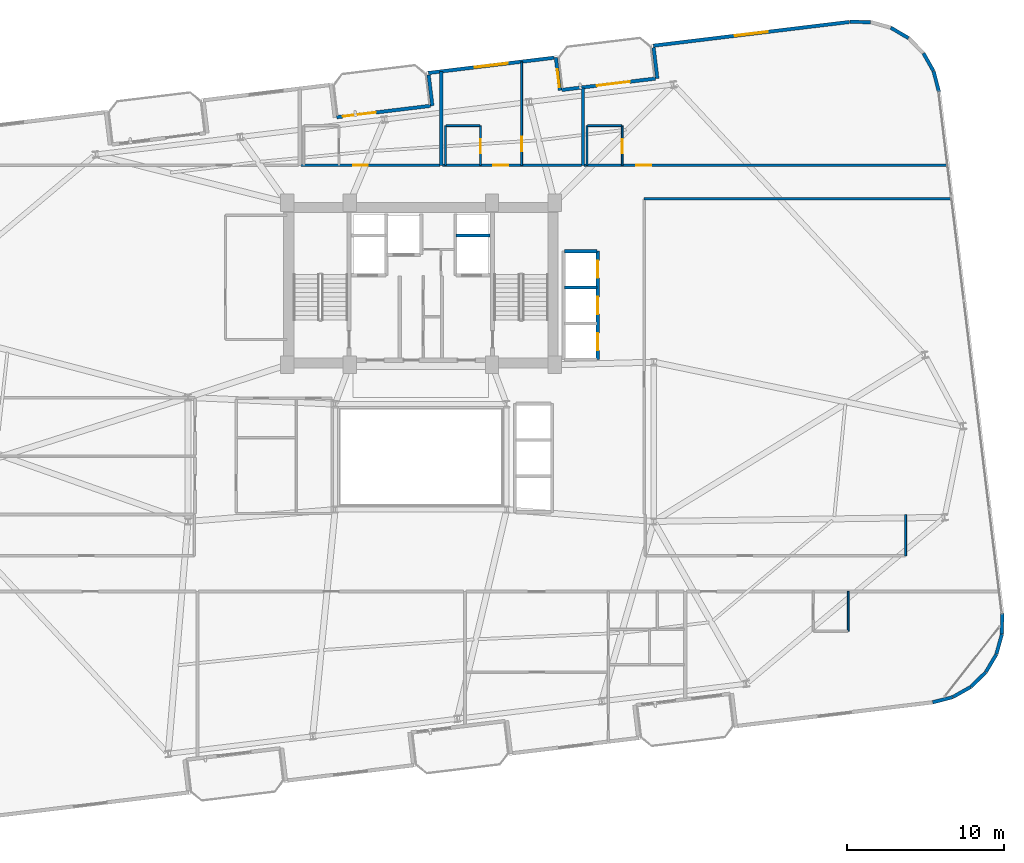
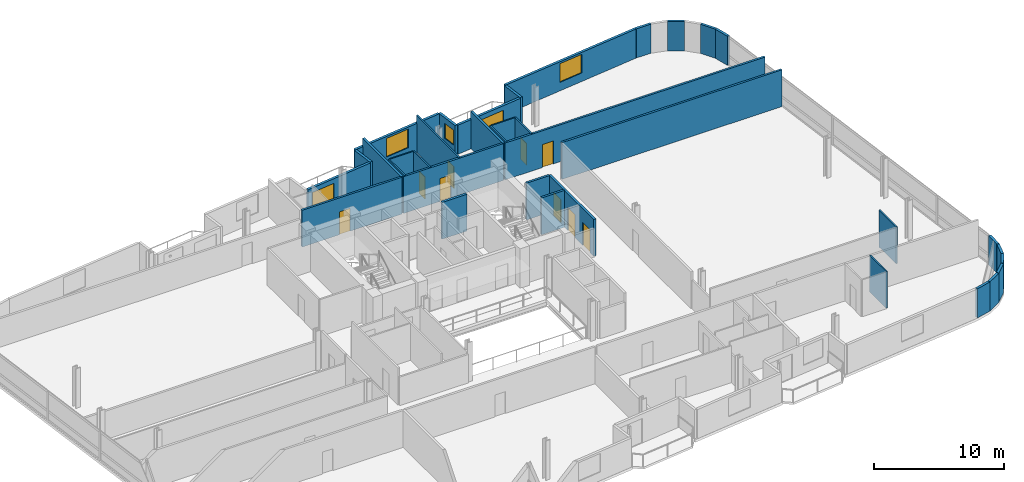
# One storey, part 18 of 23: 36 walls, 11 doors, 3 windows, 14 openings.
"""IFC4 building model written with IfcOpenShell, lengths in metres."""

from ifc_helpers import new_model, si_unit, direction, frame, frame_2d, origin, place, context, subcontext, project, spatial, rectangle, extrude, material, layer, layer_set, type_object, element, fill, save


model = new_model("IFC4")

# Units and contexts
model_context = context("Model", 3, precision=1e-05, world=origin(), true_north=direction((0.0, 1.0)))
body_context = subcontext(model_context, "Body", "Model", "MODEL_VIEW")
ifc_project = project(units=[si_unit("LENGTHUNIT", "METRE"), si_unit("AREAUNIT", "SQUARE_METRE"), si_unit("VOLUMEUNIT", "CUBIC_METRE"), si_unit("PLANEANGLEUNIT", "RADIAN"), si_unit("MASSUNIT", "GRAM", prefix="KILO")], contexts=[model_context])

# Site, building, storey
site_placement = place(None, origin())
site = spatial("IfcSite", under=ifc_project, at=site_placement, CompositionType="ELEMENT")
building_placement = place(site_placement, origin())
building = spatial("IfcBuilding", under=site, at=building_placement, Name="Varnelok Gate Tower", CompositionType="ELEMENT")
storey_placement = place(building_placement, frame((0.0, 0.0, 182.0)))
storey = spatial("IfcBuildingStorey", under=building, at=storey_placement, Name="L46", CompositionType="ELEMENT", Elevation=182.0)

# Wall, opening, door
ifc_material_1 = material(Name="Concrete C45/55", Category="concrete")
ifc_layer_1 = layer(ifc_material_1, 0.219970703125)
ifc_layer_set_1 = layer_set([ifc_layer_1], Name="Concrete C45/55")
wall_type_1 = type_object("IfcWallType", Name="EW-BALC-220", PredefinedType="SOLIDWALL", material=ifc_layer_set_1)
wall_1_placement = place(storey_placement, frame((33.852294921875, 44.48583984375, 0.0), z_axis=(0.0, 0.0, 1.0), x_axis=(0.992729951822, 0.120362962556, 0.0)))
wall_1 = element("IfcWall", 1, at=wall_1_placement, inside=storey, type_object=wall_type_1, Name="L46 North Terrace Envelope Wall 5", PredefinedType="SOLIDWALL", context=body_context, shape_type="SweptSolid", body=[
    extrude(rectangle(XDim=6.0, YDim=0.219970703125, at=frame_2d((3.0, 0.0))), origin(), (0.0, 0.0, 1.0), 2.72998046875),
])
opening_1_placement = place(wall_1_placement, frame((0.39990234375, 0.0, 0.0)))
opening_1 = element("IfcOpeningElement", 2, at=opening_1_placement, cuts=wall_1, Name="Opening BD-2", PredefinedType="OPENING", context=body_context, shape_type="SweptSolid", body=[
    extrude(rectangle(XDim=2.10009765625, YDim=2.300048828125, at=frame_2d((1.050048828125, 1.14990234375))), frame((0.0, 0.119873046875, 0.0), z_axis=(0.0, -1.0, 0.0), x_axis=(1.0, 0.0, 0.0)), (0.0, 0.0, 1.0), 0.239990234375),
])
ifc_material_2 = material(Name="Anodized Aluminum Alloy 6063-T6", Category="aluminium")
door_type_1 = type_object("IfcDoorType", Name="DR-EXT-SLID2100", OperationType="SLIDING_TO_LEFT", PredefinedType="DOOR", material=ifc_material_2)
door_1_placement = place(opening_1_placement, origin())
door_1 = element("IfcDoor", 3, at=door_1_placement, inside=storey, type_object=door_type_1, Name="L46 North Balcony Glazed Door 5", OperationType="SLIDING_TO_LEFT", OverallHeight=2.300048828125, OverallWidth=2.10009765625, PredefinedType="DOOR", context=body_context, shape_type="SweptSolid", body=[
    extrude(rectangle(XDim=2.10009765625, YDim=2.300048828125, at=frame_2d((1.050048828125, 1.14990234375))), frame((0.0, 0.02490234375, 0.0), z_axis=(0.0, -1.0, 0.0), x_axis=(1.0, 0.0, 0.0)), (0.0, 0.0, 1.0), 0.050048828125),
])
fill(opening_1, door_1)

wall_2_placement = place(storey_placement, frame((48.147705078125, 46.21875, 0.0), z_axis=(0.0, 0.0, 1.0), x_axis=(0.992729951822, 0.120362962556, 0.0)))
wall_2 = element("IfcWall", 4, at=wall_2_placement, inside=storey, type_object=wall_type_1, Name="L46 North Terrace Envelope Wall 6", PredefinedType="SOLIDWALL", context=body_context, shape_type="SweptSolid", body=[
    extrude(rectangle(XDim=6.0, YDim=0.219970703125, at=frame_2d((3.0, 0.0))), origin(), (0.0, 0.0, 1.0), 2.72998046875),
])
opening_2_placement = place(wall_2_placement, frame((2.260009765625, 0.0, 0.0)))
opening_2 = element("IfcOpeningElement", 5, at=opening_2_placement, cuts=wall_2, Name="Opening BD-2", PredefinedType="OPENING", context=body_context, shape_type="SweptSolid", body=[
    extrude(rectangle(XDim=2.10009765625, YDim=2.300048828125, at=frame_2d((1.050048828125, 1.14990234375))), frame((0.0, 0.119873046875, 0.0), z_axis=(0.0, -1.0, 0.0), x_axis=(1.0, 0.0, 0.0)), (0.0, 0.0, 1.0), 0.239990234375),
])
door_2_placement = place(opening_2_placement, origin())
door_2 = element("IfcDoor", 6, at=door_2_placement, inside=storey, type_object=door_type_1, Name="L46 North Balcony Glazed Door 6", OperationType="SLIDING_TO_LEFT", OverallHeight=2.300048828125, OverallWidth=2.10009765625, PredefinedType="DOOR", context=body_context, shape_type="SweptSolid", body=[
    extrude(rectangle(XDim=2.10009765625, YDim=2.300048828125, at=frame_2d((1.050048828125, 1.14990234375))), frame((0.0, 0.02490234375, 0.0), z_axis=(0.0, -1.0, 0.0), x_axis=(1.0, 0.0, 0.0)), (0.0, 0.0, 1.0), 0.050048828125),
])
fill(opening_2, door_2)

# Walls
wall_3_placement = place(storey_placement, frame((71.71875, 7.305908203125, 0.0), z_axis=(0.0, 0.0, 1.0), x_axis=(0.968541764193, 0.248851061909, 0.0)))
element("IfcWall", 7, at=wall_3_placement, inside=storey, type_object=wall_type_1, Name="L46 Perimeter Facade Closure Wall 17", PredefinedType="SOLIDWALL", context=body_context, shape_type="SweptSolid", body=[
    extrude(rectangle(XDim=1.308837890625, YDim=0.219970703125, at=frame_2d((0.654296875, 0.0))), origin(), (0.0, 0.0, 1.0), 2.72998046875),
])
for number, where, z_axis, x_axis, name in (
    (8, (73.00830078125, 7.64404296875, 0.0), (0.0, 0.0, 1.0), (0.87105877335, 0.491178799797, 0.0), "L46 Perimeter Facade Closure Wall 18"),
    (9, (74.1591796875, 8.30029296875, 0.0), (0.0, 0.0, 1.0), (0.714295394827, 0.699844331926, 0.0), "L46 Perimeter Facade Closure Wall 19"),
    (10, (75.101318359375, 9.232177734375, 0.0), (0.0, 0.0, 1.0), (0.508798863936, 0.860885425627, 0.0), "L46 Perimeter Facade Closure Wall 20"),
    (11, (75.77001953125, 10.376220703125, 0.0), (0.0, 0.0, 1.0), (0.26859243053, 0.963253915778, 0.0), "L46 Perimeter Facade Closure Wall 21"),
):
    element("IfcWall", number, at=place(storey_placement, frame(where, z_axis=z_axis, x_axis=x_axis)), inside=storey, type_object=wall_type_1, Name=name, PredefinedType="SOLIDWALL", context=body_context, shape_type="SweptSolid", body=[
        extrude(rectangle(XDim=1.30078125, YDim=0.219970703125, at=frame_2d((0.650390625, 0.0))), origin(), (0.0, 0.0, 1.0), 2.72998046875),
    ])
wall_4_placement = place(storey_placement, frame((76.11962890625, 11.654052734375, 0.0), z_axis=(0.0, 0.0, 1.0), x_axis=(0.01032033607, 0.999946743914, 0.0)))
element("IfcWall", 12, at=wall_4_placement, inside=storey, type_object=wall_type_1, Name="L46 Perimeter Facade Closure Wall 22", PredefinedType="SOLIDWALL", context=body_context, shape_type="SweptSolid", body=[
    extrude(rectangle(XDim=1.301025390625, YDim=0.219970703125, at=frame_2d((0.650390625, 0.0))), origin(), (0.0, 0.0, 1.0), 2.72998046875),
])
wall_5_placement = place(storey_placement, frame((72.113525390625, 46.1123046875, 0.0), z_axis=(0.0, 0.0, 1.0), x_axis=(-0.248942347653, 0.968518305219, 0.0)))
element("IfcWall", 13, at=wall_5_placement, inside=storey, type_object=wall_type_1, Name="L46 Perimeter Facade Closure Wall 23", PredefinedType="SOLIDWALL", context=body_context, shape_type="SweptSolid", body=[
    extrude(rectangle(XDim=1.325927734375, YDim=0.219970703125, at=frame_2d((0.6630859375, 0.0))), origin(), (0.0, 0.0, 1.0), 2.72998046875),
])
for number, where, z_axis, x_axis, name in (
    (14, (71.771240234375, 47.418212890625, 0.0), (0.0, 0.0, 1.0), (-0.491098509465, 0.871104043155, 0.0), "L46 Perimeter Facade Closure Wall 24"),
    (15, (70.18310546875, 49.51123046875, 0.0), (0.0, 0.0, 1.0), (-0.860933999601, 0.508716668029, 0.0), "L46 Perimeter Facade Closure Wall 26"),
):
    element("IfcWall", number, at=place(storey_placement, frame(where, z_axis=z_axis, x_axis=x_axis)), inside=storey, type_object=wall_type_1, Name=name, PredefinedType="SOLIDWALL", context=body_context, shape_type="SweptSolid", body=[
        extrude(rectangle(XDim=1.301025390625, YDim=0.219970703125, at=frame_2d((0.650390625, 0.0))), origin(), (0.0, 0.0, 1.0), 2.72998046875),
    ])
wall_6_placement = place(storey_placement, frame((67.760986328125, 50.52978515625, 0.0), z_axis=(0.0, 0.0, 1.0), x_axis=(-0.999947358106, 0.010260653861, 0.0)))
element("IfcWall", 16, at=wall_6_placement, inside=storey, type_object=wall_type_1, Name="L46 Perimeter Facade Closure Wall 28", PredefinedType="SOLIDWALL", context=body_context, shape_type="SweptSolid", body=[
    extrude(rectangle(XDim=1.30859375, YDim=0.219970703125, at=frame_2d((0.654296875, 0.0))), origin(), (0.0, 0.0, 1.0), 2.72998046875),
])

# Wall, opening, window
wall_7_placement = place(storey_placement, frame((66.427490234375, 50.5400390625, 0.0), z_axis=(0.0, 0.0, 1.0), x_axis=(-0.992731739233, -0.120348219431, 0.0)))
wall_7 = element("IfcWall", 17, at=wall_7_placement, inside=storey, type_object=wall_type_1, Name="L46 Perimeter Facade Closure Wall 29", PredefinedType="SOLIDWALL", context=body_context, shape_type="SweptSolid", body=[
    extrude(rectangle(XDim=12.547119140625, YDim=0.219970703125, at=frame_2d((6.2734375, 0.0))), origin(), (0.0, 0.0, 1.0), 2.72998046875),
])
opening_3_placement = place(wall_7_placement, frame((5.2236328125, 0.0, 0.800048828125)))
opening_3 = element("IfcOpeningElement", 18, at=opening_3_placement, cuts=wall_7, Name="Opening WN4", PredefinedType="OPENING", context=body_context, shape_type="SweptSolid", body=[
    extrude(rectangle(XDim=2.10009765625, YDim=1.75, at=frame_2d((1.050048828125, 0.875))), frame((0.0, 0.119873046875, 0.0), z_axis=(0.0, -1.0, 0.0), x_axis=(1.0, 0.0, 0.0)), (0.0, 0.0, 1.0), 0.239990234375),
])
ifc_material_3 = material(Name="Low-E Laminated Double Glazing IGU", Category="glass")
window_type_1 = type_object("IfcWindowType", Name="WN-SUI-2100", PartitioningType="SINGLE_PANEL", PredefinedType="WINDOW", material=ifc_material_3)
window_1_placement = place(opening_3_placement, origin())
window_1 = element("IfcWindow", 19, at=window_1_placement, inside=storey, type_object=window_type_1, Name="L46 Perimeter Vision Window 29", OverallHeight=1.75, OverallWidth=2.10009765625, PartitioningType="SINGLE_PANEL", PredefinedType="WINDOW", context=body_context, shape_type="SweptSolid", body=[
    extrude(rectangle(XDim=2.10009765625, YDim=1.75, at=frame_2d((1.050048828125, 0.875))), frame((0.0, 0.030029296875, 0.0), z_axis=(0.0, -1.0, 0.0), x_axis=(1.0, 0.0, 0.0)), (0.0, 0.0, 1.0), 0.06005859375),
])
fill(opening_3, window_1)

# Wall
wall_8_placement = place(storey_placement, frame((53.986572265625, 48.906005859375, 0.0), z_axis=(0.0, 0.0, 1.0), x_axis=(0.120397815541, -0.992725725472, 0.0)))
element("IfcWall", 20, at=wall_8_placement, inside=storey, type_object=wall_type_1, Name="L46 Perimeter Facade Closure Wall 30", PredefinedType="SOLIDWALL", context=body_context, shape_type="SweptSolid", body=[
    extrude(rectangle(XDim=1.97509765625, YDim=0.219970703125, at=frame_2d((0.987548828125, 0.0))), origin(), (0.0, 0.0, 1.0), 2.72998046875),
])

# Wall, opening, window
wall_9_placement = place(storey_placement, frame((48.029541015625, 46.1943359375, 0.0), z_axis=(0.0, 0.0, 1.0), x_axis=(-0.120314009587, 0.992735885871, 0.0)))
wall_9 = element("IfcWall", 21, at=wall_9_placement, inside=storey, type_object=wall_type_1, Name="L46 Perimeter Facade Closure Wall 31", PredefinedType="SOLIDWALL", context=body_context, shape_type="SweptSolid", body=[
    extrude(rectangle(XDim=2.10009765625, YDim=0.219970703125, at=frame_2d((1.050048828125, 0.0))), origin(), (0.0, 0.0, 1.0), 2.72998046875),
])
opening_4_placement = place(wall_9_placement, frame((0.199951171875, 0.0, 0.800048828125)))
opening_4 = element("IfcOpeningElement", 22, at=opening_4_placement, cuts=wall_9, Name="Opening WN8", PredefinedType="OPENING", context=body_context, shape_type="SweptSolid", body=[
    extrude(rectangle(XDim=1.14990234375, YDim=1.39990234375, at=frame_2d((0.574951171875, 0.699951171875))), frame((0.0, 0.119873046875, 0.0), z_axis=(0.0, -1.0, 0.0), x_axis=(1.0, 0.0, 0.0)), (0.0, 0.0, 1.0), 0.239990234375),
])
window_type_2 = type_object("IfcWindowType", Name="WN-BED-1150", PartitioningType="SINGLE_PANEL", PredefinedType="WINDOW", material=ifc_material_3)
window_2_placement = place(opening_4_placement, origin())
window_2 = element("IfcWindow", 23, at=window_2_placement, inside=storey, type_object=window_type_2, Name="L46 Bedroom Vision Window 26", OverallHeight=1.39990234375, OverallWidth=1.14990234375, PartitioningType="SINGLE_PANEL", PredefinedType="WINDOW", context=body_context, shape_type="SweptSolid", body=[
    extrude(rectangle(XDim=1.14990234375, YDim=1.39990234375, at=frame_2d((0.574951171875, 0.699951171875))), frame((0.0, 0.030029296875, 0.0), z_axis=(0.0, -1.0, 0.0), x_axis=(1.0, 0.0, 0.0)), (0.0, 0.0, 1.0), 0.06005859375),
])
fill(opening_4, window_2)

wall_10_placement = place(storey_placement, frame((47.65283203125, 48.26416015625, 0.0), z_axis=(0.0, 0.0, 1.0), x_axis=(-0.992731032022, -0.120354052946, 0.0)))
wall_10 = element("IfcWall", 24, at=wall_10_placement, inside=storey, type_object=wall_type_1, Name="L46 Perimeter Facade Closure Wall 32", PredefinedType="SOLIDWALL", context=body_context, shape_type="SweptSolid", body=[
    extrude(rectangle(XDim=8.034912109375, YDim=0.219970703125, at=frame_2d((4.017578125, 0.0))), origin(), (0.0, 0.0, 1.0), 2.72998046875),
])
opening_5_placement = place(wall_10_placement, frame((2.967529296875, 0.0, 0.800048828125)))
opening_5 = element("IfcOpeningElement", 25, at=opening_5_placement, cuts=wall_10, Name="Opening WN4", PredefinedType="OPENING", context=body_context, shape_type="SweptSolid", body=[
    extrude(rectangle(XDim=2.10009765625, YDim=1.75, at=frame_2d((1.050048828125, 0.875))), frame((0.0, 0.119873046875, 0.0), z_axis=(0.0, -1.0, 0.0), x_axis=(1.0, 0.0, 0.0)), (0.0, 0.0, 1.0), 0.239990234375),
])
window_3_placement = place(opening_5_placement, origin())
window_3 = element("IfcWindow", 26, at=window_3_placement, inside=storey, type_object=window_type_1, Name="L46 Perimeter Vision Window 32", OverallHeight=1.75, OverallWidth=2.10009765625, PartitioningType="SINGLE_PANEL", PredefinedType="WINDOW", context=body_context, shape_type="SweptSolid", body=[
    extrude(rectangle(XDim=2.10009765625, YDim=1.75, at=frame_2d((1.050048828125, 0.875))), frame((0.0, 0.030029296875, 0.0), z_axis=(0.0, -1.0, 0.0), x_axis=(1.0, 0.0, 0.0)), (0.0, 0.0, 1.0), 0.06005859375),
])
fill(opening_5, window_3)

# Wall
wall_11_placement = place(storey_placement, frame((39.691162109375, 47.173095703125, 0.0), z_axis=(0.0, 0.0, 1.0), x_axis=(0.120397815541, -0.992725725472, 0.0)))
element("IfcWall", 27, at=wall_11_placement, inside=storey, type_object=wall_type_1, Name="L46 Perimeter Facade Closure Wall 33", PredefinedType="SOLIDWALL", context=body_context, shape_type="SweptSolid", body=[
    extrude(rectangle(XDim=1.97509765625, YDim=0.219970703125, at=frame_2d((0.987548828125, 0.0))), origin(), (0.0, 0.0, 1.0), 2.72998046875),
])

# Wall, opening, door
ifc_material_4 = material(Name="Gypsum Plasterboard Acoustic Partition", Category="gypsum")
ifc_layer_2 = layer(ifc_material_4, 0.179931640625)
ifc_layer_set_2 = layer_set([ifc_layer_2], Name="Gypsum Plasterboard Acoustic Partition")
wall_type_2 = type_object("IfcWallType", Name="PW-CORR-180", PredefinedType="PARTITIONING", material=ifc_layer_set_2)
wall_12_placement = place(storey_placement, frame((31.580078125, 41.429931640625, 0.0), z_axis=(0.0, 0.0, 1.0), x_axis=(1.0, 0.0, 0.0)))
wall_12 = element("IfcWall", 28, at=wall_12_placement, inside=storey, type_object=wall_type_2, Name="Interior Partition", PredefinedType="PARTITIONING", context=body_context, shape_type="SweptSolid", body=[
    extrude(rectangle(XDim=8.83984375, YDim=0.179931640625, at=frame_2d((4.419921875, 0.0))), origin(), (0.0, 0.0, 1.0), 3.449951171875),
])
opening_6_placement = place(wall_12_placement, frame((3.307861328125, 0.0, 0.0)))
opening_6 = element("IfcOpeningElement", 29, at=opening_6_placement, cuts=wall_12, Name="Opening D-HT", PredefinedType="OPENING", context=body_context, shape_type="SweptSolid", body=[
    extrude(rectangle(XDim=0.949951171875, YDim=2.14990234375, at=frame_2d((0.47509765625, 1.074951171875))), frame((0.0, 0.099853515625, 0.0), z_axis=(0.0, -1.0, 0.0), x_axis=(1.0, 0.0, 0.0)), (0.0, 0.0, 1.0), 0.199951171875),
])
ifc_material_5 = material(Name="Engineered Hardwood Timber", Category="wood")
door_type_2 = type_object("IfcDoorType", Name="DR-HTL-950", OperationType="NOTDEFINED", PredefinedType="DOOR", material=ifc_material_5)
door_3_placement = place(opening_6_placement, origin())
door_3 = element("IfcDoor", 30, at=door_3_placement, inside=storey, type_object=door_type_2, Name="L46 Guest Room 06 Entrance Door", OperationType="SINGLE_SWING_LEFT", OverallHeight=2.14990234375, OverallWidth=0.949951171875, PredefinedType="DOOR", context=body_context, shape_type="SweptSolid", body=[
    extrude(rectangle(XDim=0.949951171875, YDim=2.14990234375, at=frame_2d((0.47509765625, 1.074951171875))), frame((0.0, 0.02490234375, 0.0), z_axis=(0.0, -1.0, 0.0), x_axis=(1.0, 0.0, 0.0)), (0.0, 0.0, 1.0), 0.050048828125),
])
fill(opening_6, door_3)

wall_13_placement = place(storey_placement, frame((40.580078125, 41.429931640625, 0.0), z_axis=(0.0, 0.0, 1.0), x_axis=(1.0, 0.0, 0.0)))
wall_13 = element("IfcWall", 31, at=wall_13_placement, inside=storey, type_object=wall_type_2, Name="Interior Partition", PredefinedType="PARTITIONING", context=body_context, shape_type="SweptSolid", body=[
    extrude(rectangle(XDim=8.83984375, YDim=0.179931640625, at=frame_2d((4.419921875, 0.0))), origin(), (0.0, 0.0, 1.0), 3.449951171875),
])
opening_7_placement = place(wall_13_placement, frame((3.22998046875, 0.0, 0.0)))
opening_7 = element("IfcOpeningElement", 32, at=opening_7_placement, cuts=wall_13, Name="Opening D-HT", PredefinedType="OPENING", context=body_context, shape_type="SweptSolid", body=[
    extrude(rectangle(XDim=0.949951171875, YDim=2.14990234375, at=frame_2d((0.47509765625, 1.074951171875))), frame((0.0, 0.099853515625, 0.0), z_axis=(0.0, -1.0, 0.0), x_axis=(1.0, 0.0, 0.0)), (0.0, 0.0, 1.0), 0.199951171875),
])
door_4_placement = place(opening_7_placement, origin())
door_4 = element("IfcDoor", 33, at=door_4_placement, inside=storey, type_object=door_type_2, Name="L46 Guest Room 07 Entrance Door", OperationType="SINGLE_SWING_RIGHT", OverallHeight=2.14990234375, OverallWidth=0.949951171875, PredefinedType="DOOR", context=body_context, shape_type="SweptSolid", body=[
    extrude(rectangle(XDim=0.949951171875, YDim=2.14990234375, at=frame_2d((0.47509765625, 1.074951171875))), frame((0.0, 0.02490234375, 0.0), z_axis=(0.0, -1.0, 0.0), x_axis=(1.0, 0.0, 0.0)), (0.0, 0.0, 1.0), 0.050048828125),
])
fill(opening_7, door_4)

wall_14_placement = place(storey_placement, frame((49.580078125, 41.429931640625, 0.0), z_axis=(0.0, 0.0, 1.0), x_axis=(1.0, 0.0, 0.0)))
wall_14 = element("IfcWall", 34, at=wall_14_placement, inside=storey, type_object=wall_type_2, Name="Interior Partition", PredefinedType="PARTITIONING", context=body_context, shape_type="SweptSolid", body=[
    extrude(rectangle(XDim=23.0419921875, YDim=0.179931640625, at=frame_2d((11.52099609375, 0.0))), origin(), (0.0, 0.0, 1.0), 3.449951171875),
])
opening_8_placement = place(wall_14_placement, frame((3.316650390625, 0.0, 0.0)))
opening_8 = element("IfcOpeningElement", 35, at=opening_8_placement, cuts=wall_14, Name="Opening D-HT", PredefinedType="OPENING", context=body_context, shape_type="SweptSolid", body=[
    extrude(rectangle(XDim=0.949951171875, YDim=2.14990234375, at=frame_2d((0.47509765625, 1.074951171875))), frame((0.0, 0.099853515625, 0.0), z_axis=(0.0, -1.0, 0.0), x_axis=(1.0, 0.0, 0.0)), (0.0, 0.0, 1.0), 0.199951171875),
])
door_5_placement = place(opening_8_placement, origin())
door_5 = element("IfcDoor", 36, at=door_5_placement, inside=storey, type_object=door_type_2, Name="L46 Guest Room 08 Entrance Door", OperationType="SINGLE_SWING_LEFT", OverallHeight=2.14990234375, OverallWidth=0.949951171875, PredefinedType="DOOR", context=body_context, shape_type="SweptSolid", body=[
    extrude(rectangle(XDim=0.949951171875, YDim=2.14990234375, at=frame_2d((0.47509765625, 1.074951171875))), frame((0.0, 0.02490234375, 0.0), z_axis=(0.0, -1.0, 0.0), x_axis=(1.0, 0.0, 0.0)), (0.0, 0.0, 1.0), 0.050048828125),
])
fill(opening_8, door_5)

# Walls
wall_15_placement = place(storey_placement, frame((53.389892578125, 39.300048828125, 0.0), z_axis=(0.0, 0.0, 1.0), x_axis=(1.0, 0.0, 0.0)))
element("IfcWall", 37, at=wall_15_placement, inside=storey, type_object=wall_type_2, Name="Interior Partition", PredefinedType="PARTITIONING", context=body_context, shape_type="SweptSolid", body=[
    extrude(rectangle(XDim=19.490234375, YDim=0.179931640625, at=frame_2d((9.7451171875, 0.0))), origin(), (0.0, 0.0, 1.0), 3.449951171875),
])
ifc_layer_3 = layer(ifc_material_4, 0.114990234375)
ifc_layer_set_3 = layer_set([ifc_layer_3], Name="Gypsum Plasterboard Acoustic Partition")
wall_type_3 = type_object("IfcWallType", Name="PW-ENS-125", PredefinedType="PARTITIONING", material=ifc_layer_set_3)
wall_16_placement = place(storey_placement, frame((66.360107421875, 11.830078125, 0.0), z_axis=(0.0, 0.0, 1.0), x_axis=(0.0, 1.0, 0.0)))
element("IfcWall", 38, at=wall_16_placement, inside=storey, type_object=wall_type_3, Name="Interior Partition", PredefinedType="PARTITIONING", context=body_context, shape_type="SweptSolid", body=[
    extrude(rectangle(XDim=2.52001953125, YDim=0.114990234375, at=frame_2d((1.260009765625, 0.0))), origin(), (0.0, 0.0, 1.0), 3.449951171875),
])
wall_17_placement = place(storey_placement, frame((40.800048828125, 43.949951171875, 0.0), z_axis=(0.0, 0.0, 1.0), x_axis=(1.0, 0.0, 0.0)))
element("IfcWall", 39, at=wall_17_placement, inside=storey, type_object=wall_type_3, Name="Interior Partition", PredefinedType="PARTITIONING", context=body_context, shape_type="SweptSolid", body=[
    extrude(rectangle(XDim=2.14990234375, YDim=0.114990234375, at=frame_2d((1.074951171875, 0.0))), origin(), (0.0, 0.0, 1.0), 3.449951171875),
])

# Wall, opening, door
wall_18_placement = place(storey_placement, frame((42.989990234375, 41.429931640625, 0.0), z_axis=(0.0, 0.0, 1.0), x_axis=(0.0, 1.0, 0.0)))
wall_18 = element("IfcWall", 40, at=wall_18_placement, inside=storey, type_object=wall_type_3, Name="Interior Partition", PredefinedType="PARTITIONING", context=body_context, shape_type="SweptSolid", body=[
    extrude(rectangle(XDim=2.52001953125, YDim=0.114990234375, at=frame_2d((1.260009765625, 0.0))), origin(), (0.0, 0.0, 1.0), 3.449951171875),
])
opening_9_placement = place(wall_18_placement, frame((0.760009765625, 0.0, 0.0)))
opening_9 = element("IfcOpeningElement", 41, at=opening_9_placement, cuts=wall_18, Name="Opening D-WC", PredefinedType="OPENING", context=body_context, shape_type="SweptSolid", body=[
    extrude(rectangle(XDim=0.89990234375, YDim=2.050048828125, at=frame_2d((0.449951171875, 1.02490234375))), frame((0.0, 0.0673828125, 0.0), z_axis=(0.0, -1.0, 0.0), x_axis=(1.0, 0.0, 0.0)), (0.0, 0.0, 1.0), 0.135009765625),
])
door_type_3 = type_object("IfcDoorType", Name="DR-BATH-900", OperationType="NOTDEFINED", PredefinedType="DOOR", material=ifc_material_5)
door_6_placement = place(opening_9_placement, origin())
door_6 = element("IfcDoor", 42, at=door_6_placement, inside=storey, type_object=door_type_3, Name="L46 North En-Suite 07 Door", OperationType="SINGLE_SWING_RIGHT", OverallHeight=2.050048828125, OverallWidth=0.89990234375, PredefinedType="DOOR", context=body_context, shape_type="SweptSolid", body=[
    extrude(rectangle(XDim=0.89990234375, YDim=2.050048828125, at=frame_2d((0.449951171875, 1.02490234375))), frame((0.0, 0.02490234375, 0.0), z_axis=(0.0, -1.0, 0.0), x_axis=(1.0, 0.0, 0.0)), (0.0, 0.0, 1.0), 0.050048828125),
])
fill(opening_9, door_6)

# Walls
wall_19_placement = place(storey_placement, frame((40.760009765625, 41.429931640625, 0.0), z_axis=(0.0, 0.0, 1.0), x_axis=(0.0, 1.0, 0.0)))
element("IfcWall", 43, at=wall_19_placement, inside=storey, type_object=wall_type_3, Name="Interior Partition", PredefinedType="PARTITIONING", context=body_context, shape_type="SweptSolid", body=[
    extrude(rectangle(XDim=2.52001953125, YDim=0.114990234375, at=frame_2d((1.260009765625, 0.0))), origin(), (0.0, 0.0, 1.0), 3.449951171875),
])
wall_20_placement = place(storey_placement, frame((49.800048828125, 43.949951171875, 0.0), z_axis=(0.0, 0.0, 1.0), x_axis=(1.0, 0.0, 0.0)))
element("IfcWall", 44, at=wall_20_placement, inside=storey, type_object=wall_type_3, Name="Interior Partition", PredefinedType="PARTITIONING", context=body_context, shape_type="SweptSolid", body=[
    extrude(rectangle(XDim=2.14990234375, YDim=0.114990234375, at=frame_2d((1.074951171875, 0.0))), origin(), (0.0, 0.0, 1.0), 3.449951171875),
])

# Wall, opening, door
wall_21_placement = place(storey_placement, frame((51.989990234375, 41.429931640625, 0.0), z_axis=(0.0, 0.0, 1.0), x_axis=(0.0, 1.0, 0.0)))
wall_21 = element("IfcWall", 45, at=wall_21_placement, inside=storey, type_object=wall_type_3, Name="Interior Partition", PredefinedType="PARTITIONING", context=body_context, shape_type="SweptSolid", body=[
    extrude(rectangle(XDim=2.52001953125, YDim=0.114990234375, at=frame_2d((1.260009765625, 0.0))), origin(), (0.0, 0.0, 1.0), 3.449951171875),
])
opening_10_placement = place(wall_21_placement, frame((0.760009765625, 0.0, 0.0)))
opening_10 = element("IfcOpeningElement", 46, at=opening_10_placement, cuts=wall_21, Name="Opening D-WC", PredefinedType="OPENING", context=body_context, shape_type="SweptSolid", body=[
    extrude(rectangle(XDim=0.89990234375, YDim=2.050048828125, at=frame_2d((0.449951171875, 1.02490234375))), frame((0.0, 0.0673828125, 0.0), z_axis=(0.0, -1.0, 0.0), x_axis=(1.0, 0.0, 0.0)), (0.0, 0.0, 1.0), 0.135009765625),
])
door_7_placement = place(opening_10_placement, origin())
door_7 = element("IfcDoor", 47, at=door_7_placement, inside=storey, type_object=door_type_3, Name="L46 North En-Suite 08 Door", OperationType="SINGLE_SWING_RIGHT", OverallHeight=2.050048828125, OverallWidth=0.89990234375, PredefinedType="DOOR", context=body_context, shape_type="SweptSolid", body=[
    extrude(rectangle(XDim=0.89990234375, YDim=2.050048828125, at=frame_2d((0.449951171875, 1.02490234375))), frame((0.0, 0.02490234375, 0.0), z_axis=(0.0, -1.0, 0.0), x_axis=(1.0, 0.0, 0.0)), (0.0, 0.0, 1.0), 0.050048828125),
])
fill(opening_10, door_7)

# Walls
wall_22_placement = place(storey_placement, frame((49.760009765625, 41.429931640625, 0.0), z_axis=(0.0, 0.0, 1.0), x_axis=(0.0, 1.0, 0.0)))
element("IfcWall", 48, at=wall_22_placement, inside=storey, type_object=wall_type_3, Name="Interior Partition", PredefinedType="PARTITIONING", context=body_context, shape_type="SweptSolid", body=[
    extrude(rectangle(XDim=2.52001953125, YDim=0.114990234375, at=frame_2d((1.260009765625, 0.0))), origin(), (0.0, 0.0, 1.0), 3.449951171875),
])
ifc_layer_4 = layer(ifc_material_4, 0.125)
ifc_layer_set_4 = layer_set([ifc_layer_4], Name="Gypsum Plasterboard Acoustic Partition")
wall_type_4 = type_object("IfcWallType", Name="PW-PART-125", PredefinedType="PARTITIONING", material=ifc_layer_set_4)
wall_23_placement = place(storey_placement, frame((70.0, 16.610107421875, 0.0), z_axis=(0.0, 0.0, 1.0), x_axis=(0.0, 1.0, 0.0)))
element("IfcWall", 49, at=wall_23_placement, inside=storey, type_object=wall_type_4, Name="Interior Partition", PredefinedType="PARTITIONING", context=body_context, shape_type="SweptSolid", body=[
    extrude(rectangle(XDim=2.6298828125, YDim=0.125, at=frame_2d((1.31494140625, 0.0))), origin(), (0.0, 0.0, 1.0), 3.449951171875),
])

# Wall, opening, door
wall_24_placement = place(storey_placement, frame((45.60009765625, 41.429931640625, 0.0), z_axis=(0.0, 0.0, 1.0), x_axis=(0.0, 1.0, 0.0)))
wall_24 = element("IfcWall", 50, at=wall_24_placement, inside=storey, type_object=wall_type_4, Name="Interior Partition", PredefinedType="PARTITIONING", context=body_context, shape_type="SweptSolid", body=[
    extrude(rectangle(XDim=6.565185546875, YDim=0.125, at=frame_2d((3.28271484375, 0.0))), origin(), (0.0, 0.0, 1.0), 3.449951171875),
])
opening_11_placement = place(wall_24_placement, frame((0.884765625, 0.0, 0.0)))
opening_11 = element("IfcOpeningElement", 51, at=opening_11_placement, cuts=wall_24, Name="Opening D-I3", PredefinedType="OPENING", context=body_context, shape_type="SweptSolid", body=[
    extrude(rectangle(XDim=0.919921875, YDim=2.050048828125, at=frame_2d((0.4599609375, 1.02490234375))), frame((0.0, 0.072509765625, 0.0), z_axis=(0.0, -1.0, 0.0), x_axis=(1.0, 0.0, 0.0)), (0.0, 0.0, 1.0), 0.14501953125),
])
door_type_4 = type_object("IfcDoorType", Name="DR-INT-920", OperationType="NOTDEFINED", PredefinedType="DOOR", material=ifc_material_5)
door_8_placement = place(opening_11_placement, origin())
door_8 = element("IfcDoor", 52, at=door_8_placement, inside=storey, type_object=door_type_4, Name="L46 Suite Bedroom Door 7", OperationType="SINGLE_SWING_LEFT", OverallHeight=2.050048828125, OverallWidth=0.919921875, PredefinedType="DOOR", context=body_context, shape_type="SweptSolid", body=[
    extrude(rectangle(XDim=0.919921875, YDim=2.050048828125, at=frame_2d((0.4599609375, 1.02490234375))), frame((0.0, 0.02490234375, 0.0), z_axis=(0.0, -1.0, 0.0), x_axis=(1.0, 0.0, 0.0)), (0.0, 0.0, 1.0), 0.050048828125),
])
fill(opening_11, door_8)

# Walls
ifc_layer_5 = layer(ifc_material_4, 0.205078125)
ifc_layer_set_5 = layer_set([ifc_layer_5], Name="Gypsum Plasterboard Acoustic Partition")
wall_type_5 = type_object("IfcWallType", Name="PW-PARTY-200", PredefinedType="PARTITIONING", material=ifc_layer_set_5)
wall_25_placement = place(storey_placement, frame((40.5, 41.429931640625, 0.0), z_axis=(0.0, 0.0, 1.0), x_axis=(0.0, 1.0, 0.0)))
element("IfcWall", 53, at=wall_25_placement, inside=storey, type_object=wall_type_5, Name="L46 North Party Wall 2", PredefinedType="PARTITIONING", context=body_context, shape_type="SweptSolid", body=[
    extrude(rectangle(XDim=5.947021484375, YDim=0.205078125, at=frame_2d((2.9736328125, 0.0))), origin(), (0.0, 0.0, 1.0), 3.449951171875),
])
wall_26_placement = place(storey_placement, frame((49.5, 41.429931640625, 0.0), z_axis=(0.0, 0.0, 1.0), x_axis=(0.0, 1.0, 0.0)))
element("IfcWall", 54, at=wall_26_placement, inside=storey, type_object=wall_type_5, Name="L46 North Party Wall 3", PredefinedType="PARTITIONING", context=body_context, shape_type="SweptSolid", body=[
    extrude(rectangle(XDim=4.922607421875, YDim=0.205078125, at=frame_2d((2.46142578125, 0.0))), origin(), (0.0, 0.0, 1.0), 3.449951171875),
])
ifc_material_6 = material(Name="Concrete C35/45", Category="concrete")
ifc_layer_6 = layer(ifc_material_6, 0.199951171875)
ifc_layer_set_6 = layer_set([ifc_layer_6], Name="Concrete C35/45")
wall_type_6 = type_object("IfcWallType", Name="PW-SHAFT-200", PredefinedType="PARTITIONING", material=ifc_layer_set_6)
wall_27_placement = place(storey_placement, frame((41.419921875, 36.97998046875, 0.0), z_axis=(0.0, 0.0, 1.0), x_axis=(1.0, 0.0, 0.0)))
element("IfcWall", 55, at=wall_27_placement, inside=storey, type_object=wall_type_6, Name="L46 FF2 Shaft North Wall", PredefinedType="PARTITIONING", context=body_context, shape_type="SweptSolid", body=[
    extrude(rectangle(XDim=2.18017578125, YDim=0.199951171875, at=frame_2d((1.090087890625, 0.0))), origin(), (0.0, 0.0, 1.0), 3.449951171875),
])
for number, where, z_axis, x_axis, name in (
    (56, (48.320068359375, 33.675048828125, 0.0), (0.0, 0.0, 1.0), (1.0, 0.0, 0.0), "L46 PM2 Divider"),
    (57, (48.320068359375, 35.969970703125, 0.0), (0.0, 0.0, 1.0), (1.0, 0.0, 0.0), "L46 PM Bank North Wall"),
):
    element("IfcWall", number, at=place(storey_placement, frame(where, z_axis=z_axis, x_axis=x_axis)), inside=storey, type_object=wall_type_6, Name=name, PredefinedType="PARTITIONING", context=body_context, shape_type="SweptSolid", body=[
        extrude(rectangle(XDim=2.059814453125, YDim=0.199951171875, at=frame_2d((1.02978515625, 0.0))), origin(), (0.0, 0.0, 1.0), 3.449951171875),
    ])

# Wall, openings, doors
wall_28_placement = place(storey_placement, frame((50.43994140625, 29.080078125, 0.0), z_axis=(0.0, 0.0, 1.0), x_axis=(0.0, 1.0, 0.0)))
wall_28 = element("IfcWall", 58, at=wall_28_placement, inside=storey, type_object=wall_type_6, Name="L46 PM Bank Front Wall", PredefinedType="PARTITIONING", context=body_context, shape_type="SweptSolid", body=[
    extrude(rectangle(XDim=6.889892578125, YDim=0.199951171875, at=frame_2d((3.44482421875, 0.0))), origin(), (0.0, 0.0, 1.0), 3.449951171875),
])
opening_12_placement = place(wall_28_placement, frame((0.590087890625, 0.0, 0.0)))
opening_12 = element("IfcOpeningElement", 59, at=opening_12_placement, cuts=wall_28, Name="Opening LD-PM1", PredefinedType="OPENING", context=body_context, shape_type="SweptSolid", body=[
    extrude(rectangle(XDim=1.10009765625, YDim=2.14990234375, at=frame_2d((0.550048828125, 1.074951171875))), frame((0.0, 0.10986328125, 0.0), z_axis=(0.0, -1.0, 0.0), x_axis=(1.0, 0.0, 0.0)), (0.0, 0.0, 1.0), 0.219970703125),
])
opening_13_placement = place(wall_28_placement, frame((2.889892578125, 0.0, 0.0)))
opening_13 = element("IfcOpeningElement", 60, at=opening_13_placement, cuts=wall_28, Name="Opening LD-PM2", PredefinedType="OPENING", context=body_context, shape_type="SweptSolid", body=[
    extrude(rectangle(XDim=1.10009765625, YDim=2.14990234375, at=frame_2d((0.550048828125, 1.074951171875))), frame((0.0, 0.10986328125, 0.0), z_axis=(0.0, -1.0, 0.0), x_axis=(1.0, 0.0, 0.0)), (0.0, 0.0, 1.0), 0.219970703125),
])
opening_14_placement = place(wall_28_placement, frame((5.18994140625, 0.0, 0.0)))
opening_14 = element("IfcOpeningElement", 61, at=opening_14_placement, cuts=wall_28, Name="Opening LD-PM3", PredefinedType="OPENING", context=body_context, shape_type="SweptSolid", body=[
    extrude(rectangle(XDim=1.10009765625, YDim=2.14990234375, at=frame_2d((0.550048828125, 1.074951171875))), frame((0.0, 0.10986328125, 0.0), z_axis=(0.0, -1.0, 0.0), x_axis=(1.0, 0.0, 0.0)), (0.0, 0.0, 1.0), 0.219970703125),
])
ifc_material_7 = material(Name="Galvanized Steel Grade S350GD", Category="steel")
door_type_5 = type_object("IfcDoorType", Name="DR-LIFT-PAX1100", OperationType="SLIDING_TO_LEFT", PredefinedType="DOOR", material=ifc_material_7)
door_9_placement = place(opening_12_placement, origin())
door_9 = element("IfcDoor", 62, at=door_9_placement, inside=storey, type_object=door_type_5, Name="L46 Passenger Lift Landing Door LD-PM1", OperationType="SLIDING_TO_LEFT", OverallHeight=2.14990234375, OverallWidth=1.10009765625, PredefinedType="DOOR", context=body_context, shape_type="SweptSolid", body=[
    extrude(rectangle(XDim=1.10009765625, YDim=2.14990234375, at=frame_2d((0.550048828125, 1.074951171875))), frame((0.0, 0.02490234375, 0.0), z_axis=(0.0, -1.0, 0.0), x_axis=(1.0, 0.0, 0.0)), (0.0, 0.0, 1.0), 0.050048828125),
])
fill(opening_12, door_9)
door_10_placement = place(opening_13_placement, origin())
door_10 = element("IfcDoor", 63, at=door_10_placement, inside=storey, type_object=door_type_5, Name="L46 Passenger Lift Landing Door LD-PM2", OperationType="SLIDING_TO_LEFT", OverallHeight=2.14990234375, OverallWidth=1.10009765625, PredefinedType="DOOR", context=body_context, shape_type="SweptSolid", body=[
    extrude(rectangle(XDim=1.10009765625, YDim=2.14990234375, at=frame_2d((0.550048828125, 1.074951171875))), frame((0.0, 0.02490234375, 0.0), z_axis=(0.0, -1.0, 0.0), x_axis=(1.0, 0.0, 0.0)), (0.0, 0.0, 1.0), 0.050048828125),
])
fill(opening_13, door_10)
door_11_placement = place(opening_14_placement, origin())
door_11 = element("IfcDoor", 64, at=door_11_placement, inside=storey, type_object=door_type_5, Name="L46 Passenger Lift Landing Door LD-PM3", OperationType="SLIDING_TO_LEFT", OverallHeight=2.14990234375, OverallWidth=1.10009765625, PredefinedType="DOOR", context=body_context, shape_type="SweptSolid", body=[
    extrude(rectangle(XDim=1.10009765625, YDim=2.14990234375, at=frame_2d((0.550048828125, 1.074951171875))), frame((0.0, 0.02490234375, 0.0), z_axis=(0.0, -1.0, 0.0), x_axis=(1.0, 0.0, 0.0)), (0.0, 0.0, 1.0), 0.050048828125),
])
fill(opening_14, door_11)

save(model, "model.ifc")
